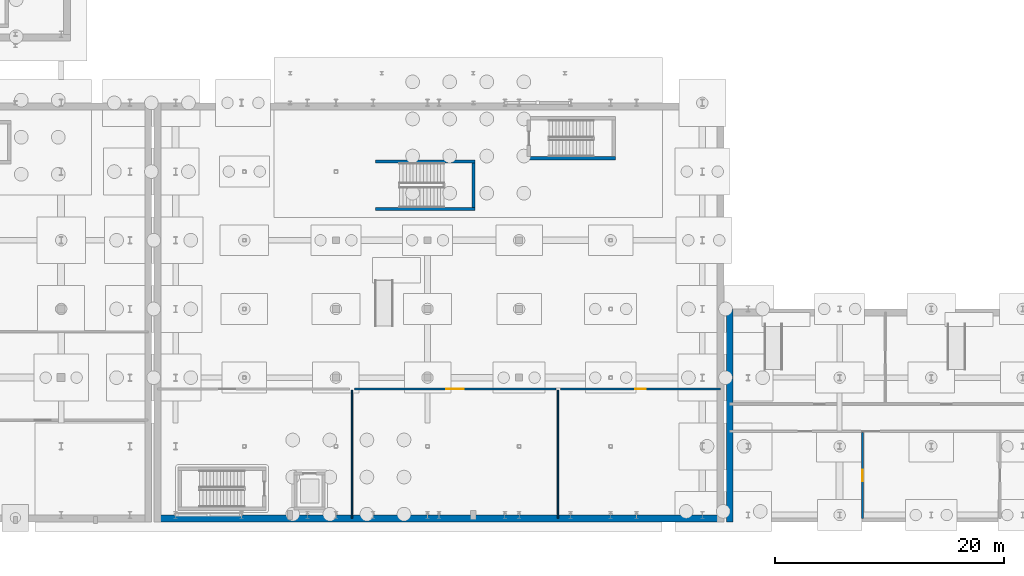
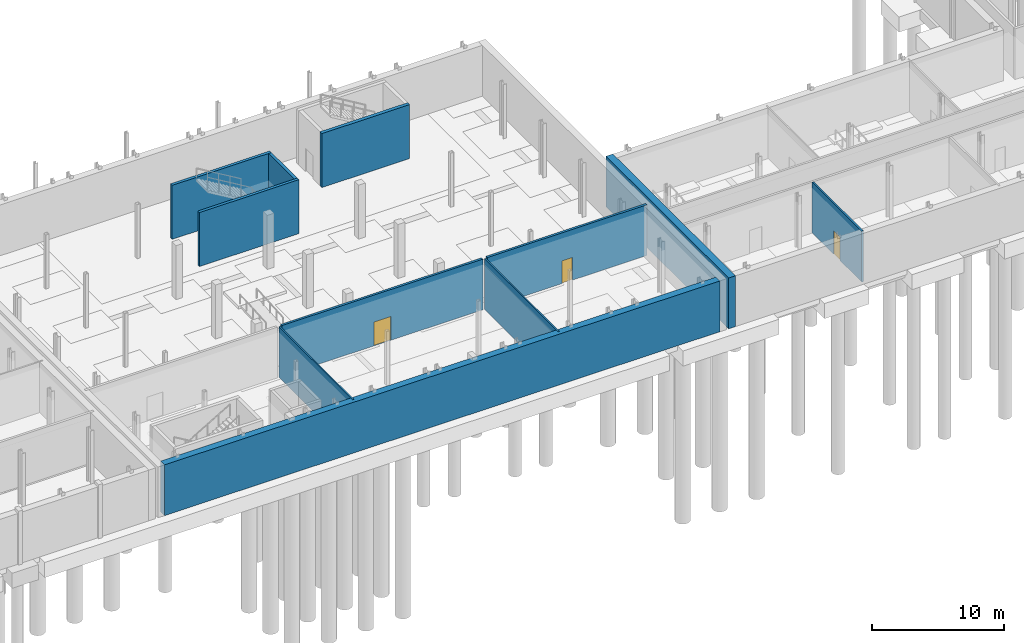
# One storey, part 25 of 47: 11 walls, 3 doors, 3 openings.
"""IFC4 building model written with IfcOpenShell, lengths in metres."""

from ifc_helpers import new_model, si_unit, direction, frame, frame_2d, origin, place, context, subcontext, project, spatial, rectangle, extrude, material, layer, layer_set, type_object, element, fill, save


model = new_model("IFC4")

# Units and contexts
model_context = context("Model", 3, precision=1e-05, world=origin(), true_north=direction((0.0, 1.0)))
body_context = subcontext(model_context, "Body", "Model", "MODEL_VIEW")
ifc_project = project(units=[si_unit("LENGTHUNIT", "METRE"), si_unit("AREAUNIT", "SQUARE_METRE"), si_unit("VOLUMEUNIT", "CUBIC_METRE"), si_unit("PLANEANGLEUNIT", "RADIAN"), si_unit("MASSUNIT", "GRAM", prefix="KILO")], contexts=[model_context])

# Site, building, storey
site_placement = place(None, origin())
site = spatial("IfcSite", under=ifc_project, at=site_placement, CompositionType="ELEMENT")
building_placement = place(site_placement, origin())
building = spatial("IfcBuilding", under=site, at=building_placement, Name="Cymarion Research Institute", CompositionType="ELEMENT")
storey_placement = place(building_placement, frame((0.0, 0.0, -5.0)))
storey = spatial("IfcBuildingStorey", under=building, at=storey_placement, Name="B1", CompositionType="ELEMENT", Elevation=-5.0)

# Walls
ifc_material_1 = material(Name="Concrete C35/45", Category="concrete")
ifc_layer_1 = layer(ifc_material_1, 0.60009765625)
ifc_layer_set_1 = layer_set([ifc_layer_1], Name="Concrete C35/45")
wall_type_1 = type_object("IfcWallType", Name="EXTERIOR WALL EW-RET600 600MM", PredefinedType="SHEAR", material=ifc_layer_set_1)
wall_1_placement = place(storey_placement, frame((105.0, 23.5, 0.0), z_axis=(0.0, 0.0, 1.0), x_axis=(0.0, -1.0, 0.0)))
element("IfcWall", 1, at=wall_1_placement, inside=storey, type_object=wall_type_1, Name="B1 V1 exterior wall EW-RET600 #17", PredefinedType="SHEAR", context=body_context, shape_type="SweptSolid", body=[
    extrude(rectangle(XDim=18.60009765625, YDim=0.60009765625, at=frame_2d((9.300048828125, 0.0))), origin(), (0.0, 0.0, 1.0), 4.699951171875),
])
wall_2_placement = place(storey_placement, frame((55.281982421875, 5.199951171875, 0.0), z_axis=(0.0, 0.0, 1.0), x_axis=(1.0, 0.0, 0.0)))
element("IfcWall", 2, at=wall_2_placement, inside=storey, type_object=wall_type_1, Name="B1 V2 exterior wall EW-RET600 #18", PredefinedType="SHEAR", context=body_context, shape_type="SweptSolid", body=[
    extrude(rectangle(XDim=48.635986328125, YDim=0.60009765625, at=frame_2d((24.31787109375, 0.0))), origin(), (0.0, 0.0, 1.0), 4.699951171875),
])

# Wall, opening, door
ifc_material_2 = material(Name="Gypsum acoustic double-stud partition", Category="gypsum")
ifc_layer_2 = layer(ifc_material_2, 0.14990234375)
ifc_layer_set_2 = layer_set([ifc_layer_2], Name="Gypsum acoustic double-stud partition")
wall_type_2 = type_object("IfcWallType", Name="INTERIOR PARTITION IW-AC150 150MM", PredefinedType="PARTITIONING", material=ifc_layer_set_2)
wall_3_placement = place(storey_placement, frame((116.60009765625, 5.205078125, 0.0), z_axis=(0.0, 0.0, 1.0), x_axis=(0.0, 1.0, 0.0)))
wall_3 = element("IfcWall", 3, at=wall_3_placement, inside=storey, type_object=wall_type_2, Name="B1 V1 interior partition IW-AC150 #3", PredefinedType="PARTITIONING", context=body_context, shape_type="SweptSolid", body=[
    extrude(rectangle(XDim=7.514892578125, YDim=0.14990234375, at=frame_2d((3.75732421875, 0.0))), origin(), (0.0, 0.0, 1.0), 4.699951171875),
])
opening_1_placement = place(wall_3_placement, frame((3.258056640625, 0.0, 0.0)))
opening_1 = element("IfcOpeningElement", 4, at=opening_1_placement, cuts=wall_3, Name="Opening D-B1-007", PredefinedType="OPENING", context=body_context, shape_type="SweptSolid", body=[
    extrude(rectangle(XDim=1.0, YDim=2.14990234375, at=frame_2d((0.5, 1.074951171875))), frame((0.0, 0.0849609375, 0.0), z_axis=(0.0, -1.0, 0.0), x_axis=(1.0, 0.0, 0.0)), (0.0, 0.0, 1.0), 0.169921875),
])
ifc_material_3 = material(Name="Flush acoustic timber/steel door assembly", Category="steel")
door_type_1 = type_object("IfcDoorType", Name="LABORATORY SINGLE LEAF DOOR DT-LB100 1000X2150", OperationType="NOTDEFINED", PredefinedType="DOOR", material=ifc_material_3)
door_1_placement = place(opening_1_placement, origin())
door_1 = element("IfcDoor", 5, at=door_1_placement, inside=storey, type_object=door_type_1, Name="B1 Inter-lab door D-B1-007", OperationType="SINGLE_SWING_RIGHT", OverallHeight=2.14990234375, OverallWidth=1.0, PredefinedType="DOOR", context=body_context, shape_type="SweptSolid", body=[
    extrude(rectangle(XDim=1.0, YDim=2.14990234375, at=frame_2d((0.5, 1.074951171875))), frame((0.0, 0.02490234375, 0.0), z_axis=(0.0, -1.0, 0.0), x_axis=(1.0, 0.0, 0.0)), (0.0, 0.0, 1.0), 0.050048828125),
])
fill(opening_1, door_1)

ifc_material_4 = material(Name="Autoclaved aerated masonry block AAC-4", Category="masonry")
ifc_layer_3 = layer(ifc_material_4, 0.199951171875)
ifc_layer_set_3 = layer_set([ifc_layer_3], Name="Autoclaved aerated masonry block AAC-4")
wall_type_3 = type_object("IfcWallType", Name="INTERIOR PARTITION IW-FR200 200MM", PredefinedType="SOLIDWALL", material=ifc_layer_set_3)
wall_4_placement = place(storey_placement, frame((72.199951171875, 16.5, 0.0), z_axis=(0.0, 0.0, 1.0), x_axis=(1.0, 0.0, 0.0)))
wall_4 = element("IfcWall", 6, at=wall_4_placement, inside=storey, type_object=wall_type_3, Name="B1 V2 interior partition IW-FR200 #14", PredefinedType="SOLIDWALL", context=body_context, shape_type="SweptSolid", body=[
    extrude(rectangle(XDim=17.60009765625, YDim=0.199951171875, at=frame_2d((8.800048828125, 0.0))), origin(), (0.0, 0.0, 1.0), 4.699951171875),
])
opening_2_placement = place(wall_4_placement, frame((8.050048828125, 0.0, 0.0)))
opening_2 = element("IfcOpeningElement", 7, at=opening_2_placement, cuts=wall_4, Name="Opening D-B1-015", PredefinedType="OPENING", context=body_context, shape_type="SweptSolid", body=[
    extrude(rectangle(XDim=1.5, YDim=2.199951171875, at=frame_2d((0.75, 1.10009765625))), frame((0.0, 0.10986328125, 0.0), z_axis=(0.0, -1.0, 0.0), x_axis=(1.0, 0.0, 0.0)), (0.0, 0.0, 1.0), 0.219970703125),
])
door_type_2 = type_object("IfcDoorType", Name="LABORATORY EQUIPMENT DOUBLE DOOR DT-LB150 1500X2200", OperationType="DOUBLE_DOOR_SINGLE_SWING", PredefinedType="DOOR", material=ifc_material_3)
door_2_placement = place(opening_2_placement, origin())
door_2 = element("IfcDoor", 8, at=door_2_placement, inside=storey, type_object=door_type_2, Name="B1 Core Archive door D-B1-015", OperationType="DOUBLE_DOOR_SINGLE_SWING", OverallHeight=2.199951171875, OverallWidth=1.5, PredefinedType="DOOR", context=body_context, shape_type="SweptSolid", body=[
    extrude(rectangle(XDim=1.5, YDim=2.199951171875, at=frame_2d((0.75, 1.10009765625))), frame((0.0, 0.02490234375, 0.0), z_axis=(0.0, -1.0, 0.0), x_axis=(1.0, 0.0, 0.0)), (0.0, 0.0, 1.0), 0.050048828125),
])
fill(opening_2, door_2)

wall_5_placement = place(storey_placement, frame((90.199951171875, 16.5, 0.0), z_axis=(0.0, 0.0, 1.0), x_axis=(1.0, 0.0, 0.0)))
wall_5 = element("IfcWall", 9, at=wall_5_placement, inside=storey, type_object=wall_type_3, Name="B1 V2 interior partition IW-FR200 #15", PredefinedType="SOLIDWALL", context=body_context, shape_type="SweptSolid", body=[
    extrude(rectangle(XDim=13.9951171875, YDim=0.199951171875, at=frame_2d((6.99755859375, 0.0))), origin(), (0.0, 0.0, 1.0), 4.699951171875),
])
opening_3_placement = place(wall_5_placement, frame((6.547119140625, 0.0, 0.0)))
opening_3 = element("IfcOpeningElement", 10, at=opening_3_placement, cuts=wall_5, Name="Opening D-B1-016", PredefinedType="OPENING", context=body_context, shape_type="SweptSolid", body=[
    extrude(rectangle(XDim=0.89990234375, YDim=2.10009765625, at=frame_2d((0.449951171875, 1.050048828125))), frame((0.0, 0.10986328125, 0.0), z_axis=(0.0, -1.0, 0.0), x_axis=(1.0, 0.0, 0.0)), (0.0, 0.0, 1.0), 0.219970703125),
])
door_type_3 = type_object("IfcDoorType", Name="ACCESSIBLE RESTROOM DOOR DT-WC090 900X2100", OperationType="NOTDEFINED", PredefinedType="DOOR", material=ifc_material_3)
door_3_placement = place(opening_3_placement, origin())
door_3 = element("IfcDoor", 11, at=door_3_placement, inside=storey, type_object=door_type_3, Name="B1 Concourse WC door D-B1-016", OperationType="SINGLE_SWING_LEFT", OverallHeight=2.10009765625, OverallWidth=0.89990234375, PredefinedType="DOOR", context=body_context, shape_type="SweptSolid", body=[
    extrude(rectangle(XDim=0.89990234375, YDim=2.10009765625, at=frame_2d((0.449951171875, 1.050048828125))), frame((0.0, 0.02490234375, 0.0), z_axis=(0.0, -1.0, 0.0), x_axis=(1.0, 0.0, 0.0)), (0.0, 0.0, 1.0), 0.050048828125),
])
fill(opening_3, door_3)

# Walls
ifc_material_5 = material(Name="Service riser shaft wall", Category="gypsum")
ifc_layer_4 = layer(ifc_material_5, 0.1201171875)
ifc_layer_set_4 = layer_set([ifc_layer_4], Name="Service riser shaft wall")
wall_type_4 = type_object("IfcWallType", Name="INTERIOR PARTITION IW-SH120 120MM", PredefinedType="PARTITIONING", material=ifc_layer_set_4)
for number, where, z_axis, x_axis, name in (
    (12, (72.0, 5.205078125, 0.0), (0.0, 0.0, 1.0), (0.0, 1.0, 0.0), "B1 V2 interior partition IW-SH120 #11"),
    (13, (90.0, 5.205078125, 0.0), (0.0, 0.0, 1.0), (0.0, 1.0, 0.0), "B1 V2 interior partition IW-SH120 #12"),
):
    element("IfcWall", number, at=place(storey_placement, frame(where, z_axis=z_axis, x_axis=x_axis)), inside=storey, type_object=wall_type_4, Name=name, PredefinedType="PARTITIONING", context=body_context, shape_type="SweptSolid", body=[
        extrude(rectangle(XDim=11.1748046875, YDim=0.1201171875, at=frame_2d((5.58740234375, 0.0))), origin(), (0.0, 0.0, 1.0), 4.699951171875),
    ])
ifc_material_6 = material(Name="Concrete C40/50", Category="concrete")
ifc_layer_5 = layer(ifc_material_6, 0.25)
ifc_layer_set_5 = layer_set([ifc_layer_5], Name="Concrete C40/50")
wall_type_5 = type_object("IfcWallType", Name="REINFORCED CONCRETE CORE WALL CW-SH250 250MM", PredefinedType="SHEAR", material=ifc_layer_set_5)
for number, where, z_axis, x_axis, name in (
    (14, (74.050048828125, 32.22509765625, 0.0), (0.0, 0.0, 1.0), (1.0, 0.0, 0.0), "B1 SHW-ST11-B1 south core wall"),
    (15, (82.75, 36.375, 0.0), (0.0, 0.0, 1.0), (-1.0, 0.0, 0.0), "B1 SHW-ST11-B1 north core wall"),
):
    element("IfcWall", number, at=place(storey_placement, frame(where, z_axis=z_axis, x_axis=x_axis)), inside=storey, type_object=wall_type_5, Name=name, PredefinedType="SHEAR", context=body_context, shape_type="SweptSolid", body=[
        extrude(rectangle(XDim=8.699951171875, YDim=0.25, at=frame_2d((4.35009765625, 0.0))), origin(), (0.0, 0.0, 1.0), 5.0),
    ])
wall_6_placement = place(storey_placement, frame((82.625, 32.35009765625, 0.0), z_axis=(0.0, 0.0, 1.0), x_axis=(0.0, 1.0, 0.0)))
element("IfcWall", 16, at=wall_6_placement, inside=storey, type_object=wall_type_5, Name="B1 SHW-ST11-B1 east core wall", PredefinedType="SHEAR", context=body_context, shape_type="SweptSolid", body=[
    extrude(rectangle(XDim=3.89990234375, YDim=0.25, at=frame_2d((1.949951171875, 0.0))), origin(), (0.0, 0.0, 1.0), 5.0),
])
ifc_layer_6 = layer(ifc_material_6, 0.300048828125)
ifc_layer_set_6 = layer_set([ifc_layer_6], Name="Concrete C40/50")
wall_type_6 = type_object("IfcWallType", Name="REINFORCED CONCRETE CORE WALL CW-SH300 300MM", PredefinedType="SHEAR", material=ifc_layer_set_6)
wall_7_placement = place(storey_placement, frame((87.300048828125, 36.64990234375, 0.0), z_axis=(0.0, 0.0, 1.0), x_axis=(1.0, 0.0, 0.0)))
element("IfcWall", 17, at=wall_7_placement, inside=storey, type_object=wall_type_6, Name="B1 SHW-C4-B1 south core wall", PredefinedType="SHEAR", context=body_context, shape_type="SweptSolid", body=[
    extrude(rectangle(XDim=7.699951171875, YDim=0.300048828125, at=frame_2d((3.85009765625, 0.0))), origin(), (0.0, 0.0, 1.0), 5.0),
])

save(model, "model.ifc")
